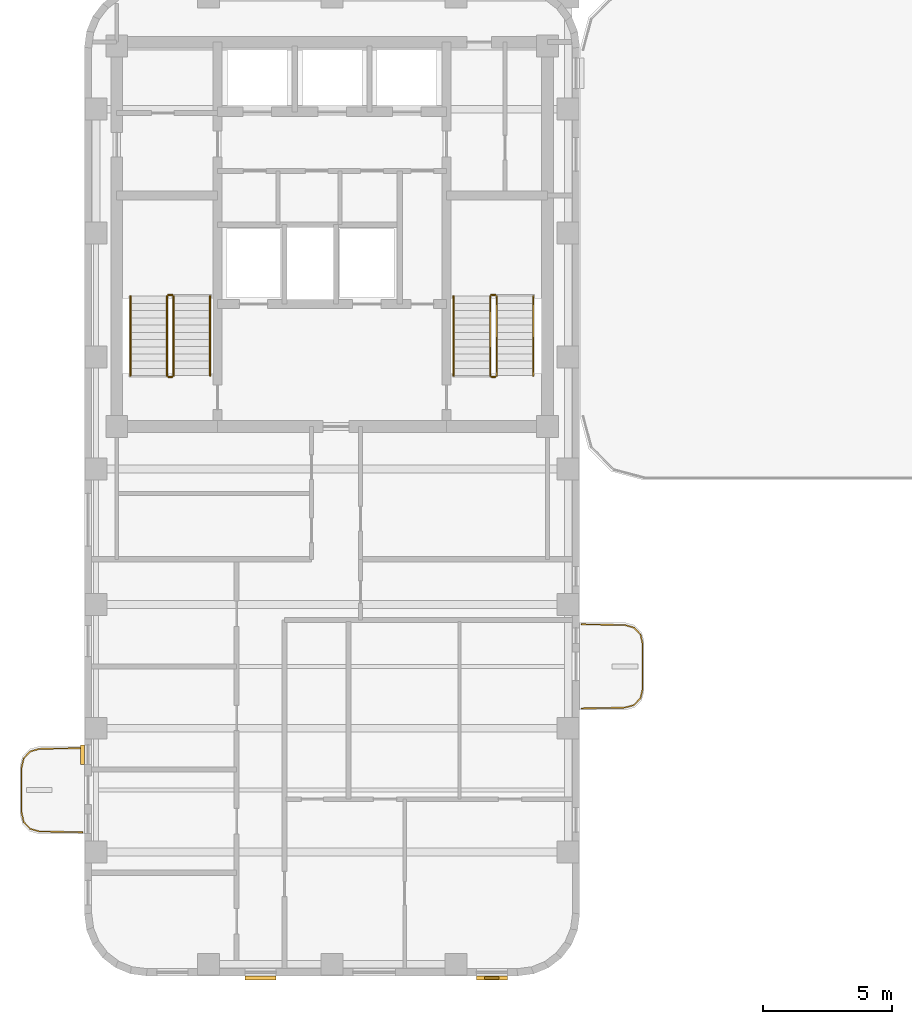
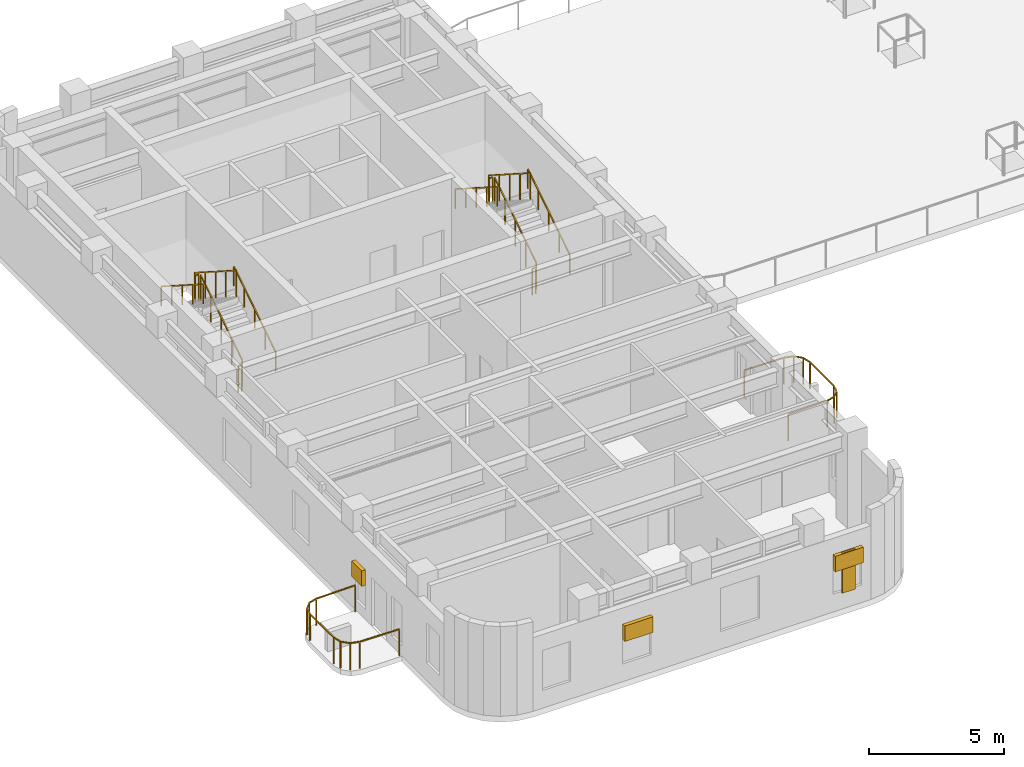
# One storey, part 6 of 7: 14 railings, 4 shading devices.
"""IFC4 building model written with IfcOpenShell, lengths in metres."""

from ifc_helpers import new_model, si_unit, direction, frame, origin, origin_2d, place, context, subcontext, project, spatial, rectangle, extrude, material, type_object, element, save


model = new_model("IFC4")

# Units and contexts
model_context = context("Model", 3, precision=1e-05, world=origin(), true_north=direction((0.0, 1.0)))
body_context = subcontext(model_context, "Body", "Model", "MODEL_VIEW")
ifc_project = project(units=[si_unit("LENGTHUNIT", "METRE"), si_unit("AREAUNIT", "SQUARE_METRE"), si_unit("VOLUMEUNIT", "CUBIC_METRE"), si_unit("PLANEANGLEUNIT", "RADIAN"), si_unit("MASSUNIT", "GRAM", prefix="KILO")], contexts=[model_context])

# Site, building, storey
site_placement = place(None, origin())
site = spatial("IfcSite", under=ifc_project, at=site_placement, CompositionType="ELEMENT")
building_placement = place(site_placement, origin())
building = spatial("IfcBuilding", under=site, at=building_placement, Name="Orvandelia Arch Residences", CompositionType="ELEMENT")
storey_placement = place(building_placement, frame((0.0, 0.0, 239.800048828125)))
storey = spatial("IfcBuildingStorey", under=building, at=storey_placement, Name="L63", CompositionType="ELEMENT", Elevation=239.800048828125)

# Railings
ifc_material_1 = material(Name="Marine-Grade Stainless Steel 316", Category="steel")
railing_type_1 = type_object("IfcRailingType", Name="GRD-BAL-1200", PredefinedType="BALUSTRADE", material=ifc_material_1)
railing_1_placement = place(storey_placement, frame((4.728271484375, 18.430419921875, 0.0)))
element("IfcRailing", 1, at=railing_1_placement, inside=storey, type_object=railing_type_1, Name="Safety Balustrade Guard GRD-L63-BAL-L63-W1-1", PredefinedType="BALUSTRADE", context=body_context, shape_type="SweptSolid", body=[
    extrude(rectangle(XDim=0.048095703125, YDim=0.048095703125, at=origin_2d()), frame((0.0, 0.0, 1.19580078125), z_axis=(-0.999834751713, -0.018178813668, 0.0), x_axis=(0.018178813668, -0.999834751713, 0.0)), (0.0, 0.0, 1.0), 1.6787109375),
    extrude(rectangle(XDim=0.048095703125, YDim=0.048095703125, at=origin_2d()), frame((-1.678466796875, -0.030517578125, 1.19580078125), z_axis=(-0.96348920644, -0.267747173792, 0.0), x_axis=(0.267747173792, -0.96348920644, 0.0)), (0.0, 0.0, 1.0), 0.36572265625),
    extrude(rectangle(XDim=0.048095703125, YDim=0.048095703125, at=origin_2d()), frame((-2.03076171875, -0.12841796875, 1.19580078125), z_axis=(-0.688627404251, -0.725115368831, 0.0), x_axis=(0.725115368831, -0.688627404251, 0.0)), (0.0, 0.0, 1.0), 0.367919921875),
    extrude(rectangle(XDim=0.048095703125, YDim=0.048095703125, at=origin_2d()), frame((-2.2841796875, -0.395263671875, 1.19580078125), z_axis=(-0.220602419982, -0.975363815352, 0.0), x_axis=(0.975363815352, -0.220602419982, 0.0)), (0.0, 0.0, 1.0), 0.373046875),
    extrude(rectangle(XDim=0.048095703125, YDim=0.048095703125, at=origin_2d()), frame((-2.366455078125, -0.759033203125, 1.19580078125), z_axis=(0.0, -1.0, 0.0), x_axis=(1.0, 0.0, 0.0)), (0.0, 0.0, 1.0), 1.74267578125),
    extrude(rectangle(XDim=0.048095703125, YDim=0.048095703125, at=origin_2d()), frame((-2.366455078125, -2.501708984375, 1.19580078125), z_axis=(0.220602419982, -0.975363815352, 0.0), x_axis=(0.975363815352, 0.220602419982, 0.0)), (0.0, 0.0, 1.0), 0.373046875),
    extrude(rectangle(XDim=0.048095703125, YDim=0.048095703125, at=origin_2d()), frame((-2.2841796875, -2.865478515625, 1.19580078125), z_axis=(0.688296224633, -0.725429739642, 0.0), x_axis=(0.725429739642, 0.688296224633, 0.0)), (0.0, 0.0, 1.0), 0.3681640625),
    extrude(rectangle(XDim=0.048095703125, YDim=0.048095703125, at=origin_2d()), frame((-2.03076171875, -3.132568359375, 1.19580078125), z_axis=(0.96348920644, -0.267747173792, 0.0), x_axis=(0.267747173792, 0.96348920644, 0.0)), (0.0, 0.0, 1.0), 0.36572265625),
    extrude(rectangle(XDim=0.048095703125, YDim=0.048095703125, at=origin_2d()), frame((-1.678466796875, -3.23046875, 1.19580078125), z_axis=(0.999837384468, -0.018033430643, 0.0), x_axis=(0.018033430643, 0.999837384468, 0.0)), (0.0, 0.0, 1.0), 1.6787109375),
    extrude(rectangle(XDim=0.0419921875, YDim=0.0419921875, at=origin_2d()), origin(), (0.0, 0.0, 1.0), 1.171875),
    extrude(rectangle(XDim=0.0419921875, YDim=0.0419921875, at=origin_2d()), frame((-1.678466796875, -0.030517578125, 0.0)), (0.0, 0.0, 1.0), 1.171875),
    extrude(rectangle(XDim=0.0419921875, YDim=0.0419921875, at=origin_2d()), frame((-2.03076171875, -0.12841796875, 0.0)), (0.0, 0.0, 1.0), 1.171875),
    extrude(rectangle(XDim=0.0419921875, YDim=0.0419921875, at=origin_2d()), frame((-2.2841796875, -0.395263671875, 0.0)), (0.0, 0.0, 1.0), 1.171875),
    extrude(rectangle(XDim=0.0419921875, YDim=0.0419921875, at=origin_2d()), frame((-2.366455078125, -0.759033203125, 0.0)), (0.0, 0.0, 1.0), 1.171875),
    extrude(rectangle(XDim=0.0419921875, YDim=0.0419921875, at=origin_2d()), frame((-2.366455078125, -2.501708984375, 0.0)), (0.0, 0.0, 1.0), 1.171875),
    extrude(rectangle(XDim=0.0419921875, YDim=0.0419921875, at=origin_2d()), frame((-2.2841796875, -2.865478515625, 0.0)), (0.0, 0.0, 1.0), 1.171875),
    extrude(rectangle(XDim=0.0419921875, YDim=0.0419921875, at=origin_2d()), frame((-2.03076171875, -3.132568359375, 0.0)), (0.0, 0.0, 1.0), 1.171875),
    extrude(rectangle(XDim=0.0419921875, YDim=0.0419921875, at=origin_2d()), frame((-1.678466796875, -3.23046875, 0.0)), (0.0, 0.0, 1.0), 1.171875),
    extrude(rectangle(XDim=0.0419921875, YDim=0.0419921875, at=origin_2d()), frame((0.0, -3.2607421875, 0.0)), (0.0, 0.0, 1.0), 1.171875),
])
railing_2_placement = place(storey_placement, frame((24.07177734375, 19.969482421875, 0.0)))
element("IfcRailing", 2, at=railing_2_placement, inside=storey, type_object=railing_type_1, Name="Safety Balustrade Guard GRD-L63-BAL-L63-W2-1", PredefinedType="BALUSTRADE", context=body_context, shape_type="SweptSolid", body=[
    extrude(rectangle(XDim=0.048095703125, YDim=0.048095703125, at=origin_2d()), frame((0.0, 0.0, 1.19580078125), z_axis=(0.999834751713, 0.018178813668, 0.0), x_axis=(-0.018178813668, 0.999834751713, 0.0)), (0.0, 0.0, 1.0), 1.6787109375),
    extrude(rectangle(XDim=0.048095703125, YDim=0.048095703125, at=origin_2d()), frame((1.678466796875, 0.030517578125, 1.19580078125), z_axis=(0.96348920644, 0.267747173792, 0.0), x_axis=(-0.267747173792, 0.96348920644, 0.0)), (0.0, 0.0, 1.0), 0.36572265625),
    extrude(rectangle(XDim=0.048095703125, YDim=0.048095703125, at=origin_2d()), frame((2.03076171875, 0.12841796875, 1.19580078125), z_axis=(0.687947031175, 0.725760898848, 0.0), x_axis=(-0.725760898848, 0.687947031175, 0.0)), (0.0, 0.0, 1.0), 0.367919921875),
    extrude(rectangle(XDim=0.048095703125, YDim=0.048095703125, at=origin_2d()), frame((2.283935546875, 0.3955078125, 1.19580078125), z_axis=(0.221225034864, 0.975222786828, 0.0), x_axis=(-0.975222786828, 0.221225034864, 0.0)), (0.0, 0.0, 1.0), 0.373046875),
    extrude(rectangle(XDim=0.048095703125, YDim=0.048095703125, at=origin_2d()), frame((2.366455078125, 0.75927734375, 1.19580078125), z_axis=(0.0, 1.0, 0.0), x_axis=(-1.0, 0.0, 0.0)), (0.0, 0.0, 1.0), 1.742431640625),
    extrude(rectangle(XDim=0.048095703125, YDim=0.048095703125, at=origin_2d()), frame((2.366455078125, 2.501708984375, 1.19580078125), z_axis=(-0.2210839158, 0.975254788337, 0.0), x_axis=(-0.975254788337, -0.2210839158, 0.0)), (0.0, 0.0, 1.0), 0.373291015625),
    extrude(rectangle(XDim=0.048095703125, YDim=0.048095703125, at=origin_2d()), frame((2.283935546875, 2.86572265625, 1.19580078125), z_axis=(-0.688278345278, 0.725446703364, 0.0), x_axis=(-0.725446703364, -0.688278345278, 0.0)), (0.0, 0.0, 1.0), 0.367919921875),
    extrude(rectangle(XDim=0.048095703125, YDim=0.048095703125, at=origin_2d()), frame((2.03076171875, 3.132568359375, 1.19580078125), z_axis=(-0.96348920644, 0.267747173792, 0.0), x_axis=(-0.267747173792, -0.96348920644, 0.0)), (0.0, 0.0, 1.0), 0.36572265625),
    extrude(rectangle(XDim=0.048095703125, YDim=0.048095703125, at=origin_2d()), frame((1.678466796875, 3.23046875, 1.19580078125), z_axis=(-0.999834751713, 0.018178813668, 0.0), x_axis=(-0.018178813668, -0.999834751713, 0.0)), (0.0, 0.0, 1.0), 1.6787109375),
    extrude(rectangle(XDim=0.0419921875, YDim=0.0419921875, at=origin_2d()), origin(), (0.0, 0.0, 1.0), 1.171875),
    extrude(rectangle(XDim=0.0419921875, YDim=0.0419921875, at=origin_2d()), frame((1.678466796875, 0.030517578125, 0.0)), (0.0, 0.0, 1.0), 1.171875),
    extrude(rectangle(XDim=0.0419921875, YDim=0.0419921875, at=origin_2d()), frame((2.03076171875, 0.12841796875, 0.0)), (0.0, 0.0, 1.0), 1.171875),
    extrude(rectangle(XDim=0.0419921875, YDim=0.0419921875, at=origin_2d()), frame((2.283935546875, 0.3955078125, 0.0)), (0.0, 0.0, 1.0), 1.171875),
    extrude(rectangle(XDim=0.0419921875, YDim=0.0419921875, at=origin_2d()), frame((2.366455078125, 0.75927734375, 0.0)), (0.0, 0.0, 1.0), 1.171875),
    extrude(rectangle(XDim=0.0419921875, YDim=0.0419921875, at=origin_2d()), frame((2.366455078125, 2.501708984375, 0.0)), (0.0, 0.0, 1.0), 1.171875),
    extrude(rectangle(XDim=0.0419921875, YDim=0.0419921875, at=origin_2d()), frame((2.283935546875, 2.86572265625, 0.0)), (0.0, 0.0, 1.0), 1.171875),
    extrude(rectangle(XDim=0.0419921875, YDim=0.0419921875, at=origin_2d()), frame((2.03076171875, 3.132568359375, 0.0)), (0.0, 0.0, 1.0), 1.171875),
    extrude(rectangle(XDim=0.0419921875, YDim=0.0419921875, at=origin_2d()), frame((1.678466796875, 3.23046875, 0.0)), (0.0, 0.0, 1.0), 1.171875),
    extrude(rectangle(XDim=0.0419921875, YDim=0.0419921875, at=origin_2d()), frame((0.0, 3.260986328125, 0.0)), (0.0, 0.0, 1.0), 1.171875),
])
ifc_material_2 = material(Name="Brushed Stainless Steel 304", Category="steel")
railing_type_2 = type_object("IfcRailingType", Name="RL-STAIR-GD1120", PredefinedType="GUARDRAIL", material=ifc_material_2)
railing_3_placement = place(storey_placement, frame((8.25, 32.8701171875, 0.17919921875)))
element("IfcRailing", 3, at=railing_3_placement, inside=storey, type_object=railing_type_2, Name="L63 ST-1 stair guard 1", PredefinedType="GUARDRAIL", context=body_context, shape_type="SweptSolid", body=[
    extrude(rectangle(XDim=0.048095703125, YDim=0.048095703125, at=origin_2d()), frame((0.0, 0.0, 1.17578125), z_axis=(0.0, 0.842319903074, 0.538977903893), x_axis=(-1.0, 0.0, 0.0)), (0.0, 0.0, 1.0), 3.65625),
    extrude(rectangle(XDim=0.0419921875, YDim=0.0419921875, at=origin_2d()), origin(), (0.0, 0.0, 1.0), 1.15185546875),
    extrude(rectangle(XDim=0.0419921875, YDim=0.0419921875, at=origin_2d()), frame((0.0, 0.77001953125, 0.49267578125)), (0.0, 0.0, 1.0), 1.15185546875),
    extrude(rectangle(XDim=0.0419921875, YDim=0.0419921875, at=origin_2d()), frame((0.0, 1.5400390625, 0.9853515625)), (0.0, 0.0, 1.0), 1.15185546875),
    extrude(rectangle(XDim=0.0419921875, YDim=0.0419921875, at=origin_2d()), frame((0.0, 2.309814453125, 1.47802734375)), (0.0, 0.0, 1.0), 1.15185546875),
    extrude(rectangle(XDim=0.0419921875, YDim=0.0419921875, at=origin_2d()), frame((0.0, 3.079833984375, 1.970703125)), (0.0, 0.0, 1.0), 1.15185546875),
])
railing_4_placement = place(storey_placement, frame((8.199951171875, 36.0, 2.14990234375)))
element("IfcRailing", 4, at=railing_4_placement, inside=storey, type_object=railing_type_2, Name="L63 ST-1 stair guard 2", PredefinedType="GUARDRAIL", context=body_context, shape_type="SweptSolid", body=[
    extrude(rectangle(XDim=0.048095703125, YDim=0.048095703125, at=origin_2d()), frame((0.0, 0.0, 1.17578125), z_axis=(-1.0, 0.0, 0.0), x_axis=(0.0, -1.0, 0.0)), (0.0, 0.0, 1.0), 0.14990234375),
    extrude(rectangle(XDim=0.0419921875, YDim=0.0419921875, at=origin_2d()), origin(), (0.0, 0.0, 1.0), 1.15185546875),
    extrude(rectangle(XDim=0.0419921875, YDim=0.0419921875, at=origin_2d()), frame((-0.14990234375, 0.0, 0.0)), (0.0, 0.0, 1.0), 1.15185546875),
])
railing_5_placement = place(storey_placement, frame((8.0, 35.949951171875, 2.3291015625)))
element("IfcRailing", 5, at=railing_5_placement, inside=storey, type_object=railing_type_2, Name="L63 ST-1 stair guard 3", PredefinedType="GUARDRAIL", context=body_context, shape_type="SweptSolid", body=[
    extrude(rectangle(XDim=0.048095703125, YDim=0.048095703125, at=origin_2d()), frame((0.0, 0.0, 1.17578125), z_axis=(0.0, -0.842289589211, 0.539025275759), x_axis=(1.0, 0.0, 0.0)), (0.0, 0.0, 1.0), 3.656494140625),
    extrude(rectangle(XDim=0.0419921875, YDim=0.0419921875, at=origin_2d()), origin(), (0.0, 0.0, 1.0), 1.15185546875),
    extrude(rectangle(XDim=0.0419921875, YDim=0.0419921875, at=origin_2d()), frame((0.0, -0.77001953125, 0.49267578125)), (0.0, 0.0, 1.0), 1.15185546875),
    extrude(rectangle(XDim=0.0419921875, YDim=0.0419921875, at=origin_2d()), frame((0.0, -1.5400390625, 0.9853515625)), (0.0, 0.0, 1.0), 1.15185546875),
    extrude(rectangle(XDim=0.0419921875, YDim=0.0419921875, at=origin_2d()), frame((0.0, -2.309814453125, 1.478271484375)), (0.0, 0.0, 1.0), 1.15185546875),
    extrude(rectangle(XDim=0.0419921875, YDim=0.0419921875, at=origin_2d()), frame((0.0, -3.079833984375, 1.970947265625)), (0.0, 0.0, 1.0), 1.15185546875),
])
railing_6_placement = place(storey_placement, frame((8.199951171875, 32.820068359375, 0.0)))
element("IfcRailing", 6, at=railing_6_placement, inside=storey, type_object=railing_type_2, Name="L63 ST-1 stair guard 4", PredefinedType="GUARDRAIL", context=body_context, shape_type="SweptSolid", body=[
    extrude(rectangle(XDim=0.048095703125, YDim=0.048095703125, at=origin_2d()), frame((0.0, 0.0, 1.17578125), z_axis=(-1.0, 0.0, 0.0), x_axis=(0.0, -1.0, 0.0)), (0.0, 0.0, 1.0), 0.14990234375),
    extrude(rectangle(XDim=0.0419921875, YDim=0.0419921875, at=origin_2d()), origin(), (0.0, 0.0, 1.0), 1.15185546875),
    extrude(rectangle(XDim=0.0419921875, YDim=0.0419921875, at=origin_2d()), frame((-0.14990234375, 0.0, 0.0)), (0.0, 0.0, 1.0), 1.15185546875),
])
railing_7_placement = place(storey_placement, frame((20.780029296875, 32.8701171875, 0.17919921875)))
element("IfcRailing", 7, at=railing_7_placement, inside=storey, type_object=railing_type_2, Name="L63 ST-2 stair guard 1", PredefinedType="GUARDRAIL", context=body_context, shape_type="SweptSolid", body=[
    extrude(rectangle(XDim=0.048095703125, YDim=0.048095703125, at=origin_2d()), frame((0.0, 0.0, 1.17578125), z_axis=(0.0, 0.842319903074, 0.538977903893), x_axis=(-1.0, 0.0, 0.0)), (0.0, 0.0, 1.0), 3.65625),
    extrude(rectangle(XDim=0.0419921875, YDim=0.0419921875, at=origin_2d()), origin(), (0.0, 0.0, 1.0), 1.15185546875),
    extrude(rectangle(XDim=0.0419921875, YDim=0.0419921875, at=origin_2d()), frame((0.0, 0.77001953125, 0.49267578125)), (0.0, 0.0, 1.0), 1.15185546875),
    extrude(rectangle(XDim=0.0419921875, YDim=0.0419921875, at=origin_2d()), frame((0.0, 1.5400390625, 0.9853515625)), (0.0, 0.0, 1.0), 1.15185546875),
    extrude(rectangle(XDim=0.0419921875, YDim=0.0419921875, at=origin_2d()), frame((0.0, 2.309814453125, 1.47802734375)), (0.0, 0.0, 1.0), 1.15185546875),
    extrude(rectangle(XDim=0.0419921875, YDim=0.0419921875, at=origin_2d()), frame((0.0, 3.079833984375, 1.970703125)), (0.0, 0.0, 1.0), 1.15185546875),
])
railing_8_placement = place(storey_placement, frame((20.72998046875, 36.0, 2.14990234375)))
element("IfcRailing", 8, at=railing_8_placement, inside=storey, type_object=railing_type_2, Name="L63 ST-2 stair guard 2", PredefinedType="GUARDRAIL", context=body_context, shape_type="SweptSolid", body=[
    extrude(rectangle(XDim=0.048095703125, YDim=0.048095703125, at=origin_2d()), frame((0.0, 0.0, 1.17578125), z_axis=(-1.0, 0.0, 0.0), x_axis=(0.0, -1.0, 0.0)), (0.0, 0.0, 1.0), 0.14990234375),
    extrude(rectangle(XDim=0.0419921875, YDim=0.0419921875, at=origin_2d()), origin(), (0.0, 0.0, 1.0), 1.15185546875),
    extrude(rectangle(XDim=0.0419921875, YDim=0.0419921875, at=origin_2d()), frame((-0.14990234375, 0.0, 0.0)), (0.0, 0.0, 1.0), 1.15185546875),
])
railing_9_placement = place(storey_placement, frame((20.530029296875, 35.949951171875, 2.3291015625)))
element("IfcRailing", 9, at=railing_9_placement, inside=storey, type_object=railing_type_2, Name="L63 ST-2 stair guard 3", PredefinedType="GUARDRAIL", context=body_context, shape_type="SweptSolid", body=[
    extrude(rectangle(XDim=0.048095703125, YDim=0.048095703125, at=origin_2d()), frame((0.0, 0.0, 1.17578125), z_axis=(0.0, -0.842289589211, 0.539025275759), x_axis=(1.0, 0.0, 0.0)), (0.0, 0.0, 1.0), 3.656494140625),
    extrude(rectangle(XDim=0.0419921875, YDim=0.0419921875, at=origin_2d()), origin(), (0.0, 0.0, 1.0), 1.15185546875),
    extrude(rectangle(XDim=0.0419921875, YDim=0.0419921875, at=origin_2d()), frame((0.0, -0.77001953125, 0.49267578125)), (0.0, 0.0, 1.0), 1.15185546875),
    extrude(rectangle(XDim=0.0419921875, YDim=0.0419921875, at=origin_2d()), frame((0.0, -1.5400390625, 0.9853515625)), (0.0, 0.0, 1.0), 1.15185546875),
    extrude(rectangle(XDim=0.0419921875, YDim=0.0419921875, at=origin_2d()), frame((0.0, -2.309814453125, 1.478271484375)), (0.0, 0.0, 1.0), 1.15185546875),
    extrude(rectangle(XDim=0.0419921875, YDim=0.0419921875, at=origin_2d()), frame((0.0, -3.079833984375, 1.970947265625)), (0.0, 0.0, 1.0), 1.15185546875),
])
railing_10_placement = place(storey_placement, frame((20.72998046875, 32.820068359375, 0.0)))
element("IfcRailing", 10, at=railing_10_placement, inside=storey, type_object=railing_type_2, Name="L63 ST-2 stair guard 4", PredefinedType="GUARDRAIL", context=body_context, shape_type="SweptSolid", body=[
    extrude(rectangle(XDim=0.048095703125, YDim=0.048095703125, at=origin_2d()), frame((0.0, 0.0, 1.17578125), z_axis=(-1.0, 0.0, 0.0), x_axis=(0.0, -1.0, 0.0)), (0.0, 0.0, 1.0), 0.14990234375),
    extrude(rectangle(XDim=0.0419921875, YDim=0.0419921875, at=origin_2d()), origin(), (0.0, 0.0, 1.0), 1.15185546875),
    extrude(rectangle(XDim=0.0419921875, YDim=0.0419921875, at=origin_2d()), frame((-0.14990234375, 0.0, 0.0)), (0.0, 0.0, 1.0), 1.15185546875),
])
railing_type_3 = type_object("IfcRailingType", Name="RL-STAIR-HR920", PredefinedType="HANDRAIL", material=ifc_material_2)
railing_11_placement = place(storey_placement, frame((9.669921875, 32.8701171875, 0.3583984375)))
element("IfcRailing", 11, at=railing_11_placement, inside=storey, type_object=railing_type_3, Name="L63 ST-1 stair handrail 1", PredefinedType="HANDRAIL", context=body_context, shape_type="SweptSolid", body=[
    extrude(rectangle(XDim=0.048095703125, YDim=0.048095703125, at=origin_2d()), frame((0.0, 0.0, 0.8759765625), z_axis=(0.0, 0.842319903074, 0.538977903893), x_axis=(-1.0, 0.0, 0.0)), (0.0, 0.0, 1.0), 3.65625),
    extrude(rectangle(XDim=0.0419921875, YDim=0.0419921875, at=origin_2d()), origin(), (0.0, 0.0, 1.0), 0.851806640625),
    extrude(rectangle(XDim=0.0419921875, YDim=0.0419921875, at=origin_2d()), frame((0.0, 0.77001953125, 0.49267578125)), (0.0, 0.0, 1.0), 0.851806640625),
    extrude(rectangle(XDim=0.0419921875, YDim=0.0419921875, at=origin_2d()), frame((0.0, 1.5400390625, 0.9853515625)), (0.0, 0.0, 1.0), 0.851806640625),
    extrude(rectangle(XDim=0.0419921875, YDim=0.0419921875, at=origin_2d()), frame((0.0, 2.309814453125, 1.47802734375)), (0.0, 0.0, 1.0), 0.851806640625),
    extrude(rectangle(XDim=0.0419921875, YDim=0.0419921875, at=origin_2d()), frame((0.0, 3.079833984375, 1.970703125)), (0.0, 0.0, 1.0), 0.851806640625),
])
railing_12_placement = place(storey_placement, frame((6.580078125, 35.949951171875, 2.50830078125)))
element("IfcRailing", 12, at=railing_12_placement, inside=storey, type_object=railing_type_3, Name="L63 ST-1 stair handrail 2", PredefinedType="HANDRAIL", context=body_context, shape_type="SweptSolid", body=[
    extrude(rectangle(XDim=0.048095703125, YDim=0.048095703125, at=origin_2d()), frame((0.0, 0.0, 0.8759765625), z_axis=(0.0, -0.842319903074, 0.538977903893), x_axis=(1.0, 0.0, 0.0)), (0.0, 0.0, 1.0), 3.65625),
    extrude(rectangle(XDim=0.0419921875, YDim=0.0419921875, at=origin_2d()), origin(), (0.0, 0.0, 1.0), 0.851806640625),
    extrude(rectangle(XDim=0.0419921875, YDim=0.0419921875, at=origin_2d()), frame((0.0, -0.77001953125, 0.49267578125)), (0.0, 0.0, 1.0), 0.851806640625),
    extrude(rectangle(XDim=0.0419921875, YDim=0.0419921875, at=origin_2d()), frame((0.0, -1.5400390625, 0.9853515625)), (0.0, 0.0, 1.0), 0.851806640625),
    extrude(rectangle(XDim=0.0419921875, YDim=0.0419921875, at=origin_2d()), frame((0.0, -2.309814453125, 1.47802734375)), (0.0, 0.0, 1.0), 0.851806640625),
    extrude(rectangle(XDim=0.0419921875, YDim=0.0419921875, at=origin_2d()), frame((0.0, -3.079833984375, 1.970703125)), (0.0, 0.0, 1.0), 0.851806640625),
])
railing_13_placement = place(storey_placement, frame((22.199951171875, 32.8701171875, 0.3583984375)))
element("IfcRailing", 13, at=railing_13_placement, inside=storey, type_object=railing_type_3, Name="L63 ST-2 stair handrail 1", PredefinedType="HANDRAIL", context=body_context, shape_type="SweptSolid", body=[
    extrude(rectangle(XDim=0.048095703125, YDim=0.048095703125, at=origin_2d()), frame((0.0, 0.0, 0.8759765625), z_axis=(0.0, 0.842319903074, 0.538977903893), x_axis=(-1.0, 0.0, 0.0)), (0.0, 0.0, 1.0), 3.65625),
    extrude(rectangle(XDim=0.0419921875, YDim=0.0419921875, at=origin_2d()), origin(), (0.0, 0.0, 1.0), 0.851806640625),
    extrude(rectangle(XDim=0.0419921875, YDim=0.0419921875, at=origin_2d()), frame((0.0, 0.77001953125, 0.49267578125)), (0.0, 0.0, 1.0), 0.851806640625),
    extrude(rectangle(XDim=0.0419921875, YDim=0.0419921875, at=origin_2d()), frame((0.0, 1.5400390625, 0.9853515625)), (0.0, 0.0, 1.0), 0.851806640625),
    extrude(rectangle(XDim=0.0419921875, YDim=0.0419921875, at=origin_2d()), frame((0.0, 2.309814453125, 1.47802734375)), (0.0, 0.0, 1.0), 0.851806640625),
    extrude(rectangle(XDim=0.0419921875, YDim=0.0419921875, at=origin_2d()), frame((0.0, 3.079833984375, 1.970703125)), (0.0, 0.0, 1.0), 0.851806640625),
])
railing_14_placement = place(storey_placement, frame((19.110107421875, 35.949951171875, 2.50830078125)))
element("IfcRailing", 14, at=railing_14_placement, inside=storey, type_object=railing_type_3, Name="L63 ST-2 stair handrail 2", PredefinedType="HANDRAIL", context=body_context, shape_type="SweptSolid", body=[
    extrude(rectangle(XDim=0.048095703125, YDim=0.048095703125, at=origin_2d()), frame((0.0, 0.0, 0.8759765625), z_axis=(0.0, -0.842319903074, 0.538977903893), x_axis=(1.0, 0.0, 0.0)), (0.0, 0.0, 1.0), 3.65625),
    extrude(rectangle(XDim=0.0419921875, YDim=0.0419921875, at=origin_2d()), origin(), (0.0, 0.0, 1.0), 0.851806640625),
    extrude(rectangle(XDim=0.0419921875, YDim=0.0419921875, at=origin_2d()), frame((0.0, -0.77001953125, 0.49267578125)), (0.0, 0.0, 1.0), 0.851806640625),
    extrude(rectangle(XDim=0.0419921875, YDim=0.0419921875, at=origin_2d()), frame((0.0, -1.5400390625, 0.9853515625)), (0.0, 0.0, 1.0), 0.851806640625),
    extrude(rectangle(XDim=0.0419921875, YDim=0.0419921875, at=origin_2d()), frame((0.0, -2.309814453125, 1.47802734375)), (0.0, 0.0, 1.0), 0.851806640625),
    extrude(rectangle(XDim=0.0419921875, YDim=0.0419921875, at=origin_2d()), frame((0.0, -3.079833984375, 1.970703125)), (0.0, 0.0, 1.0), 0.851806640625),
])

# Shading devices
ifc_material_3 = material(Name="Anodised Champagne-Bronze Extruded Aluminium", Category="aluminium")
shading_device_type_1 = type_object("IfcShadingDeviceType", Name="SHD-JALOUSIE-SCREEN", PredefinedType="JALOUSIE", material=ifc_material_3)
for number, where, z_axis, x_axis, name in (
    (15, (11.625, 9.52001953125, 1.89990234375), (0.0, 0.0, 1.0), (-1.0, 0.0, 0.0), "Bronze Jalousie Sun-Shade L63-002"),
    (16, (20.592529296875, 9.52001953125, 1.89990234375), (0.0, 0.0, 1.0), (-1.0, 0.0, 0.0), "Bronze Jalousie Sun-Shade L63-003"),
):
    element("IfcShadingDevice", number, at=place(storey_placement, frame(where, z_axis=z_axis, x_axis=x_axis)), inside=storey, type_object=shading_device_type_1, Name=name, PredefinedType="JALOUSIE", context=body_context, shape_type="SweptSolid", body=[
        extrude(rectangle(XDim=1.199951171875, YDim=0.159912109375, at=origin_2d()), origin(), (0.0, 0.0, 1.0), 0.699951171875),
    ])
shading_device_1_placement = place(storey_placement, frame((4.719970703125, 18.177490234375, 1.5498046875), z_axis=(0.0, 0.0, 1.0), x_axis=(0.0, 1.0, 0.0)))
element("IfcShadingDevice", 17, at=shading_device_1_placement, inside=storey, type_object=shading_device_type_1, Name="Bronze Jalousie Sun-Shade L63-004", PredefinedType="JALOUSIE", context=body_context, shape_type="SweptSolid", body=[
    extrude(rectangle(XDim=0.75, YDim=0.159912109375, at=origin_2d()), origin(), (0.0, 0.0, 1.0), 0.699951171875),
])
ifc_material_4 = material(Name="Marine-Grade Perforated Aluminium Storm Shutter", Category="aluminium")
shading_device_type_2 = type_object("IfcShadingDeviceType", Name="SHD-STORM-SHUTTER", PredefinedType="SHUTTER", material=ifc_material_4)
shading_device_2_placement = place(storey_placement, frame((20.592529296875, 9.52001953125, 0.7998046875), z_axis=(0.0, 0.0, 1.0), x_axis=(-1.0, 0.0, 0.0)))
element("IfcShadingDevice", 18, at=shading_device_2_placement, inside=storey, type_object=shading_device_type_2, Name="Operable Typhoon Storm Shutter L63-003", PredefinedType="SHUTTER", context=body_context, shape_type="SweptSolid", body=[
    extrude(rectangle(XDim=0.550048828125, YDim=0.080078125, at=origin_2d()), origin(), (0.0, 0.0, 1.0), 1.800048828125),
])

save(model, "model.ifc")
